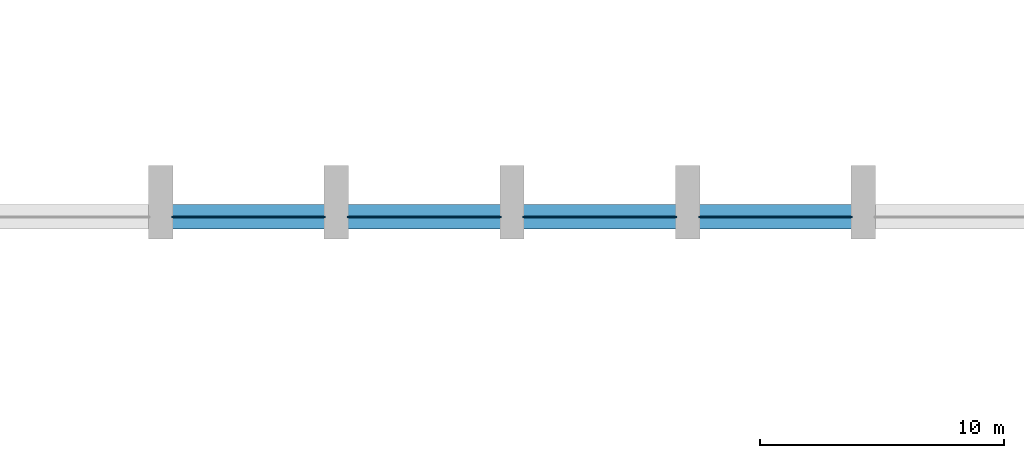
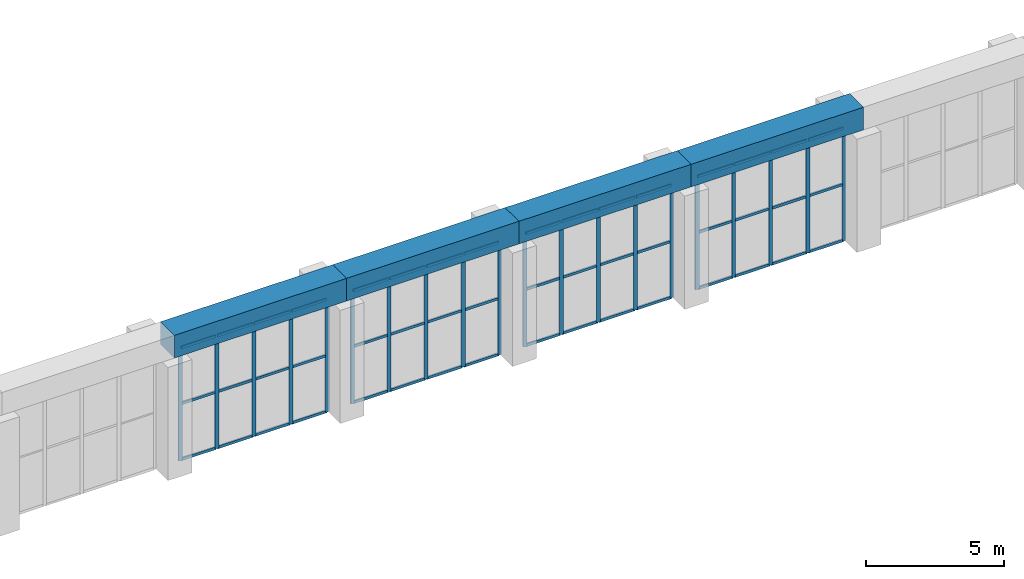
# One storey, part 9 of 44: 68 members, 4 beams, 4 elements without a shape of their own.
"""IFC4 building model written with IfcOpenShell, lengths in metres."""

import ifcopenshell
import ifcopenshell.guid

model = None  # the IFC model being written
_history = None  # IfcOwnerHistory: only IFC2X3 demands one
_inside = {}  # id of a spatial element -> (the spatial element, [elements in it])
_under = {}  # id of a project, library or spatial element -> (it, [spatial elements below it])
_declared = {}  # id of a project -> (the project, [libraries it declares])
_typed = {}  # id of a type object -> (the type object, [elements of that type])
_made_of = {}  # id of a material, layer set ... -> (it, [elements and type objects made of it])


def new_model(schema):
    """Start an empty IFC model of exactly this schema.

    Asked for "IFC4X3", IfcOpenShell would pick the latest addendum, in which some entities
    have other attributes; the version numbers below select the first issue.
    IFC2X3 requires an IfcOwnerHistory on every rooted entity: one is made here for all.
    """
    global model, _history
    if schema == "IFC4X3":
        model = ifcopenshell.file(schema_version=(4, 3, 0, 0))
    else:
        model = ifcopenshell.file(schema=schema)
    _inside.clear()
    _under.clear()
    _declared.clear()
    _typed.clear()
    _made_of.clear()
    _history = None
    if model.schema == "IFC2X3":
        org = make("IfcOrganization", Name="unknown")
        user = make(
            "IfcPersonAndOrganization",
            ThePerson=make("IfcPerson", FamilyName="unknown"),
            TheOrganization=org,
        )
        app = make(
            "IfcApplication",
            ApplicationDeveloper=org,
            Version="unknown",
            ApplicationFullName="unknown",
            ApplicationIdentifier="unknown",
        )
        _history = make(
            "IfcOwnerHistory",
            OwningUser=user,
            OwningApplication=app,
            ChangeAction="ADDED",
            CreationDate=0,
        )
    return model


def make(cls, **values):
    """One entity of the class cls with the attributes given. An attribute that is None is left unset."""
    return model.create_entity(
        cls, **{name: value for name, value in values.items() if value is not None}
    )


def rooted(cls, **values):
    """An entity with a GlobalId (a new one), such as an element, a storey or a relation."""
    return make(cls, GlobalId=ifcopenshell.guid.new(), OwnerHistory=_history, **values)


def si_unit(unit_type, name, prefix=None):
    """IfcSIUnit, for example si_unit("LENGTHUNIT", "METRE", prefix="MILLI")."""
    return make("IfcSIUnit", UnitType=unit_type, Prefix=prefix, Name=name)


def assignment(units):
    """IfcUnitAssignment: the units of a project."""
    return None if units is None else make("IfcUnitAssignment", Units=units)


def point(xyz):
    """IfcCartesianPoint."""
    return None if xyz is None else make("IfcCartesianPoint", Coordinates=xyz)


def direction(xyz):
    """IfcDirection."""
    return None if xyz is None else make("IfcDirection", DirectionRatios=xyz)


def frame(location, z_axis=None, x_axis=None):
    """IfcAxis2Placement3D, a coordinate frame: its origin and axes. An axis left out is left unset."""
    return make(
        "IfcAxis2Placement3D",
        Location=point(location),
        Axis=direction(z_axis),
        RefDirection=direction(x_axis),
    )


def frame_2d(location, x_axis=None):
    """IfcAxis2Placement2D, a coordinate frame in the plane: its origin and x axis."""
    return make(
        "IfcAxis2Placement2D", Location=point(location), RefDirection=direction(x_axis)
    )


def origin():
    """The frame at (0, 0, 0) with its axes left unset."""
    return frame((0.0, 0.0, 0.0))


def origin_2d():
    """The frame at (0, 0) in the plane with its x axis left unset."""
    return frame_2d((0.0, 0.0))


def place(relative_to, where):
    """IfcLocalPlacement: puts the frame where relative to a parent placement (None: the world)."""
    return make(
        "IfcLocalPlacement", PlacementRelTo=relative_to, RelativePlacement=where
    )


def context(
    kind, dimensions, precision=None, world=None, true_north=None, identifier=None
):
    """IfcGeometricRepresentationContext, for example the 3D "Model" context."""
    return make(
        "IfcGeometricRepresentationContext",
        ContextIdentifier=identifier,
        ContextType=kind,
        CoordinateSpaceDimension=dimensions,
        Precision=precision,
        WorldCoordinateSystem=world,
        TrueNorth=true_north,
    )


def subcontext(parent, identifier, kind, view, scale=None):
    """IfcGeometricRepresentationSubContext, for example "Body" below "Model"."""
    return make(
        "IfcGeometricRepresentationSubContext",
        ContextIdentifier=identifier,
        ContextType=kind,
        ParentContext=parent,
        TargetScale=scale,
        TargetView=view,
    )


def project(units=None, contexts=None):
    """IfcProject with its units and contexts."""
    return rooted(
        "IfcProject",
        Name="project",
        RepresentationContexts=contexts,
        UnitsInContext=assignment(units),
    )


def spatial(cls, under=None, at=None, **own):
    """A site, building, storey or space (cls), placed at a placement, below another one or the project."""
    s = rooted(cls, ObjectPlacement=at, **own)
    if under is not None:
        _under.setdefault(under.id(), (under, []))[1].append(s)
    return s


def profile(cls, at=None, kind="AREA", **sizes):
    """A parametric profile (cls). Its sizes go by their IFC names, for example OverallWidth=200.0."""
    return make(cls, ProfileType=kind, Position=at, **sizes)


def rectangle(**sizes):
    """IfcRectangleProfileDef."""
    return profile("IfcRectangleProfileDef", **sizes)


def extrude(swept, where, along, depth):
    """IfcExtrudedAreaSolid: the profile swept, set in the frame where, extruded along a direction by depth."""
    return make(
        "IfcExtrudedAreaSolid",
        SweptArea=swept,
        Position=where,
        ExtrudedDirection=direction(along),
        Depth=depth,
    )


def shape(context_of_items, identifier, shape_type, items):
    """IfcShapeRepresentation: the items that make up one representation, for example the "Body"."""
    return make(
        "IfcShapeRepresentation",
        ContextOfItems=context_of_items,
        RepresentationIdentifier=identifier,
        RepresentationType=shape_type,
        Items=items,
    )


def material(Name=None, Category=None):
    """IfcMaterial."""
    return make("IfcMaterial", Name=Name, Category=Category)


def material_profile(
    of_material, cross_section, Name=None, Category=None, Priority=None
):
    """IfcMaterialProfile: a cross section and its material."""
    return make(
        "IfcMaterialProfile",
        Name=Name,
        Material=of_material,
        Profile=cross_section,
        Priority=Priority,
        Category=Category,
    )


def profile_set(profiles, Name=None, composite=None):
    """IfcMaterialProfileSet."""
    return make(
        "IfcMaterialProfileSet",
        Name=Name,
        MaterialProfiles=profiles,
        CompositeProfile=composite,
    )


def made_of(thing, what):
    """Note that an element or type object is made of a material, layer set ...; save() writes the relation."""
    if what is not None:
        _made_of.setdefault(what.id(), (what, []))[1].append(thing)
    return thing


def type_object(cls, material=None, **own):
    """A type object (cls), such as IfcWallType, which elements share."""
    return made_of(rooted(cls, **own), material)


def element(
    cls,
    number,
    at=None,
    inside=None,
    cuts=None,
    type_object=None,
    material=None,
    context=None,
    identifier="Body",
    shape_type=None,
    held_by="IfcProductDefinitionShape",
    body=None,
    shapes=None,
    **own,
):
    """One element of the class cls, such as IfcWall. Its Tag is "e" and its number.

    at: its placement. inside: the storey or other place that contains it. cuts: it is an
    opening in that element (IfcRelVoidsElement). A single representation is given by context,
    identifier, shape_type and body (its items); several are given by shapes. held_by: the class
    of the entity that holds the representations. save() writes the other relations.
    """
    e = rooted(cls, Tag="e%d" % number, ObjectPlacement=at, **own)
    if body is not None:
        shapes = [shape(context, identifier, shape_type, body)]
    if shapes is not None:
        e.Representation = make(held_by, Representations=shapes)
    if inside is not None:
        _inside.setdefault(inside.id(), (inside, []))[1].append(e)
    if cuts is not None:
        rooted(
            "IfcRelVoidsElement", RelatingBuildingElement=cuts, RelatedOpeningElement=e
        )
    if type_object is not None:
        _typed.setdefault(type_object.id(), (type_object, []))[1].append(e)
    return made_of(e, material)


def aggregate(whole, parts):
    """IfcRelAggregates: a whole, such as a stair, and the parts it consists of."""
    return rooted("IfcRelAggregates", RelatingObject=whole, RelatedObjects=parts)


def save(model, path):
    """Write the relations noted so far, then the file.

    IfcRelAggregates (storeys below a building ...), IfcRelContainedInSpatialStructure (elements
    in a storey), IfcRelDefinesByType, IfcRelAssociatesMaterial and IfcRelDeclares: one each for
    every whole, place, type object, material and project.
    """
    for whole, parts in _under.values():
        aggregate(whole, parts)
    for where, things in _inside.values():
        rooted(
            "IfcRelContainedInSpatialStructure",
            RelatedElements=things,
            RelatingStructure=where,
        )
    for kind, things in _typed.values():
        rooted("IfcRelDefinesByType", RelatedObjects=things, RelatingType=kind)
    for what, things in _made_of.values():
        rooted("IfcRelAssociatesMaterial", RelatedObjects=things, RelatingMaterial=what)
    for by, libraries in _declared.values():
        rooted("IfcRelDeclares", RelatingContext=by, RelatedDefinitions=libraries)
    model.write(path)


model = new_model("IFC4")

# Units and contexts
model_context = context("Model", 3, precision=1e-05, world=origin(), true_north=direction((0.0, 1.0)))
body_context = subcontext(model_context, "Body", "Model", "MODEL_VIEW")
ifc_project = project(units=[si_unit("LENGTHUNIT", "METRE"), si_unit("AREAUNIT", "SQUARE_METRE"), si_unit("VOLUMEUNIT", "CUBIC_METRE"), si_unit("PLANEANGLEUNIT", "RADIAN"), si_unit("MASSUNIT", "GRAM", prefix="KILO")], contexts=[model_context])

# Site, building, storey
site_placement = place(None, origin())
site = spatial("IfcSite", under=ifc_project, at=site_placement, CompositionType="ELEMENT")
building_placement = place(site_placement, origin())
building = spatial("IfcBuilding", under=site, at=building_placement, Name="Vermilion Court Aquatics Centre", CompositionType="ELEMENT")
storey_placement = place(building_placement, frame((0.0, 0.0, 6.0)))
storey = spatial("IfcBuildingStorey", under=building, at=storey_placement, Name="L01", CompositionType="ELEMENT", Elevation=6.0)

# Curtain wall, members
ifc_material_1 = material(Name="Aluminium 6063-T5", Category="aluminium")
curtain_wall_type = type_object("IfcCurtainWallType", Name="Envelope curtain wall hall clerestory L01", PredefinedType="NOTDEFINED", material=ifc_material_1)
curtain_wall_1_placement = place(storey_placement, origin())
curtain_wall_1 = element("IfcCurtainWall", 1, at=curtain_wall_1_placement, inside=storey, type_object=curtain_wall_type, Name="Hall clerestory bay 7 L01", PredefinedType="NOTDEFINED")
ifc_material_2 = material(Name="Aluminium 6063-T5", Category="aluminium")
ifc_material_profile_1 = material_profile(ifc_material_2, rectangle(XDim=0.06005859375, YDim=0.159912109375, at=origin_2d()), Name="AL 60x160")
ifc_profile_set_1 = profile_set([ifc_material_profile_1], Name="Aluminium 6063-T5")
member_type_1 = type_object("IfcMemberType", Name="Envelope aluminium mullion 60x160", PredefinedType="MULLION", material=ifc_profile_set_1)
member_1_placement = place(storey_placement, frame((58.1298828125, 64.800048828125, 0.0), z_axis=(0.0, 0.0, 1.0), x_axis=(0.0, 1.0, 0.0)))
member_1 = element("IfcMember", 2, at=member_1_placement, type_object=member_type_1, Name="ECW2 mullion 1", PredefinedType="MULLION", context=body_context, shape_type="SweptSolid", body=[
    extrude(rectangle(XDim=0.06005859375, YDim=0.159912109375, at=origin_2d()), origin(), (0.0, 0.0, 1.0), 5.0),
])
member_2_placement = place(storey_placement, frame((59.64990234375, 64.800048828125, 0.0), z_axis=(0.0, 0.0, 1.0), x_axis=(0.0, 1.0, 0.0)))
member_2 = element("IfcMember", 3, at=member_2_placement, type_object=member_type_1, Name="ECW2 mullion 2", PredefinedType="MULLION", context=body_context, shape_type="SweptSolid", body=[
    extrude(rectangle(XDim=0.06005859375, YDim=0.159912109375, at=origin_2d()), origin(), (0.0, 0.0, 1.0), 5.0),
])
member_3_placement = place(storey_placement, frame((61.199951171875, 64.800048828125, 0.0), z_axis=(0.0, 0.0, 1.0), x_axis=(0.0, 1.0, 0.0)))
member_3 = element("IfcMember", 4, at=member_3_placement, type_object=member_type_1, Name="ECW2 mullion 3", PredefinedType="MULLION", context=body_context, shape_type="SweptSolid", body=[
    extrude(rectangle(XDim=0.06005859375, YDim=0.159912109375, at=origin_2d()), origin(), (0.0, 0.0, 1.0), 5.0),
])
member_4_placement = place(storey_placement, frame((62.75, 64.800048828125, 0.0), z_axis=(0.0, 0.0, 1.0), x_axis=(0.0, 1.0, 0.0)))
member_4 = element("IfcMember", 5, at=member_4_placement, type_object=member_type_1, Name="ECW2 mullion 4", PredefinedType="MULLION", context=body_context, shape_type="SweptSolid", body=[
    extrude(rectangle(XDim=0.06005859375, YDim=0.159912109375, at=origin_2d()), origin(), (0.0, 0.0, 1.0), 5.0),
])
member_5_placement = place(storey_placement, frame((64.27001953125, 64.800048828125, 0.0), z_axis=(0.0, 0.0, 1.0), x_axis=(0.0, 1.0, 0.0)))
member_5 = element("IfcMember", 6, at=member_5_placement, type_object=member_type_1, Name="ECW2 mullion 5", PredefinedType="MULLION", context=body_context, shape_type="SweptSolid", body=[
    extrude(rectangle(XDim=0.06005859375, YDim=0.159912109375, at=origin_2d()), origin(), (0.0, 0.0, 1.0), 5.0),
])

curtain_wall_2_placement = place(storey_placement, origin())
curtain_wall_2 = element("IfcCurtainWall", 7, at=curtain_wall_2_placement, inside=storey, type_object=curtain_wall_type, Name="Hall clerestory bay 8 L01", PredefinedType="NOTDEFINED")
member_6_placement = place(storey_placement, frame((65.330078125, 64.800048828125, 0.0), z_axis=(0.0, 0.0, 1.0), x_axis=(0.0, 1.0, 0.0)))
member_6 = element("IfcMember", 8, at=member_6_placement, type_object=member_type_1, Name="ECW2 mullion 1", PredefinedType="MULLION", context=body_context, shape_type="SweptSolid", body=[
    extrude(rectangle(XDim=0.06005859375, YDim=0.159912109375, at=origin_2d()), origin(), (0.0, 0.0, 1.0), 5.0),
])
member_7_placement = place(storey_placement, frame((66.85009765625, 64.800048828125, 0.0), z_axis=(0.0, 0.0, 1.0), x_axis=(0.0, 1.0, 0.0)))
member_7 = element("IfcMember", 9, at=member_7_placement, type_object=member_type_1, Name="ECW2 mullion 2", PredefinedType="MULLION", context=body_context, shape_type="SweptSolid", body=[
    extrude(rectangle(XDim=0.06005859375, YDim=0.159912109375, at=origin_2d()), origin(), (0.0, 0.0, 1.0), 5.0),
])
member_8_placement = place(storey_placement, frame((68.39990234375, 64.800048828125, 0.0), z_axis=(0.0, 0.0, 1.0), x_axis=(0.0, 1.0, 0.0)))
member_8 = element("IfcMember", 10, at=member_8_placement, type_object=member_type_1, Name="ECW2 mullion 3", PredefinedType="MULLION", context=body_context, shape_type="SweptSolid", body=[
    extrude(rectangle(XDim=0.06005859375, YDim=0.159912109375, at=origin_2d()), origin(), (0.0, 0.0, 1.0), 5.0),
])
member_9_placement = place(storey_placement, frame((69.949951171875, 64.800048828125, 0.0), z_axis=(0.0, 0.0, 1.0), x_axis=(0.0, 1.0, 0.0)))
member_9 = element("IfcMember", 11, at=member_9_placement, type_object=member_type_1, Name="ECW2 mullion 4", PredefinedType="MULLION", context=body_context, shape_type="SweptSolid", body=[
    extrude(rectangle(XDim=0.06005859375, YDim=0.159912109375, at=origin_2d()), origin(), (0.0, 0.0, 1.0), 5.0),
])
member_10_placement = place(storey_placement, frame((71.469970703125, 64.800048828125, 0.0), z_axis=(0.0, 0.0, 1.0), x_axis=(0.0, 1.0, 0.0)))
member_10 = element("IfcMember", 12, at=member_10_placement, type_object=member_type_1, Name="ECW2 mullion 5", PredefinedType="MULLION", context=body_context, shape_type="SweptSolid", body=[
    extrude(rectangle(XDim=0.06005859375, YDim=0.159912109375, at=origin_2d()), origin(), (0.0, 0.0, 1.0), 5.0),
])

curtain_wall_3_placement = place(storey_placement, origin())
curtain_wall_3 = element("IfcCurtainWall", 13, at=curtain_wall_3_placement, inside=storey, type_object=curtain_wall_type, Name="Hall clerestory bay 9 L01", PredefinedType="NOTDEFINED")
member_11_placement = place(storey_placement, frame((72.530029296875, 64.800048828125, 0.0), z_axis=(0.0, 0.0, 1.0), x_axis=(0.0, 1.0, 0.0)))
member_11 = element("IfcMember", 14, at=member_11_placement, type_object=member_type_1, Name="ECW2 mullion 1", PredefinedType="MULLION", context=body_context, shape_type="SweptSolid", body=[
    extrude(rectangle(XDim=0.06005859375, YDim=0.159912109375, at=origin_2d()), origin(), (0.0, 0.0, 1.0), 5.0),
])
member_12_placement = place(storey_placement, frame((74.050048828125, 64.800048828125, 0.0), z_axis=(0.0, 0.0, 1.0), x_axis=(0.0, 1.0, 0.0)))
member_12 = element("IfcMember", 15, at=member_12_placement, type_object=member_type_1, Name="ECW2 mullion 2", PredefinedType="MULLION", context=body_context, shape_type="SweptSolid", body=[
    extrude(rectangle(XDim=0.06005859375, YDim=0.159912109375, at=origin_2d()), origin(), (0.0, 0.0, 1.0), 5.0),
])
member_13_placement = place(storey_placement, frame((75.60009765625, 64.800048828125, 0.0), z_axis=(0.0, 0.0, 1.0), x_axis=(0.0, 1.0, 0.0)))
member_13 = element("IfcMember", 16, at=member_13_placement, type_object=member_type_1, Name="ECW2 mullion 3", PredefinedType="MULLION", context=body_context, shape_type="SweptSolid", body=[
    extrude(rectangle(XDim=0.06005859375, YDim=0.159912109375, at=origin_2d()), origin(), (0.0, 0.0, 1.0), 5.0),
])
member_14_placement = place(storey_placement, frame((77.14990234375, 64.800048828125, 0.0), z_axis=(0.0, 0.0, 1.0), x_axis=(0.0, 1.0, 0.0)))
member_14 = element("IfcMember", 17, at=member_14_placement, type_object=member_type_1, Name="ECW2 mullion 4", PredefinedType="MULLION", context=body_context, shape_type="SweptSolid", body=[
    extrude(rectangle(XDim=0.06005859375, YDim=0.159912109375, at=origin_2d()), origin(), (0.0, 0.0, 1.0), 5.0),
])
member_15_placement = place(storey_placement, frame((78.669921875, 64.800048828125, 0.0), z_axis=(0.0, 0.0, 1.0), x_axis=(0.0, 1.0, 0.0)))
member_15 = element("IfcMember", 18, at=member_15_placement, type_object=member_type_1, Name="ECW2 mullion 5", PredefinedType="MULLION", context=body_context, shape_type="SweptSolid", body=[
    extrude(rectangle(XDim=0.06005859375, YDim=0.159912109375, at=origin_2d()), origin(), (0.0, 0.0, 1.0), 5.0),
])

curtain_wall_4_placement = place(storey_placement, origin())
curtain_wall_4 = element("IfcCurtainWall", 19, at=curtain_wall_4_placement, inside=storey, type_object=curtain_wall_type, Name="Hall clerestory bay 10 L01", PredefinedType="NOTDEFINED")
member_16_placement = place(storey_placement, frame((79.72998046875, 64.800048828125, 0.0), z_axis=(0.0, 0.0, 1.0), x_axis=(0.0, 1.0, 0.0)))
member_16 = element("IfcMember", 20, at=member_16_placement, type_object=member_type_1, Name="ECW2 mullion 1", PredefinedType="MULLION", context=body_context, shape_type="SweptSolid", body=[
    extrude(rectangle(XDim=0.06005859375, YDim=0.159912109375, at=origin_2d()), origin(), (0.0, 0.0, 1.0), 5.0),
])
member_17_placement = place(storey_placement, frame((81.25, 64.800048828125, 0.0), z_axis=(0.0, 0.0, 1.0), x_axis=(0.0, 1.0, 0.0)))
member_17 = element("IfcMember", 21, at=member_17_placement, type_object=member_type_1, Name="ECW2 mullion 2", PredefinedType="MULLION", context=body_context, shape_type="SweptSolid", body=[
    extrude(rectangle(XDim=0.06005859375, YDim=0.159912109375, at=origin_2d()), origin(), (0.0, 0.0, 1.0), 5.0),
])
member_18_placement = place(storey_placement, frame((82.800048828125, 64.800048828125, 0.0), z_axis=(0.0, 0.0, 1.0), x_axis=(0.0, 1.0, 0.0)))
member_18 = element("IfcMember", 22, at=member_18_placement, type_object=member_type_1, Name="ECW2 mullion 3", PredefinedType="MULLION", context=body_context, shape_type="SweptSolid", body=[
    extrude(rectangle(XDim=0.06005859375, YDim=0.159912109375, at=origin_2d()), origin(), (0.0, 0.0, 1.0), 5.0),
])
member_19_placement = place(storey_placement, frame((84.35009765625, 64.800048828125, 0.0), z_axis=(0.0, 0.0, 1.0), x_axis=(0.0, 1.0, 0.0)))
member_19 = element("IfcMember", 23, at=member_19_placement, type_object=member_type_1, Name="ECW2 mullion 4", PredefinedType="MULLION", context=body_context, shape_type="SweptSolid", body=[
    extrude(rectangle(XDim=0.06005859375, YDim=0.159912109375, at=origin_2d()), origin(), (0.0, 0.0, 1.0), 5.0),
])
member_20_placement = place(storey_placement, frame((85.8701171875, 64.800048828125, 0.0), z_axis=(0.0, 0.0, 1.0), x_axis=(0.0, 1.0, 0.0)))
member_20 = element("IfcMember", 24, at=member_20_placement, type_object=member_type_1, Name="ECW2 mullion 5", PredefinedType="MULLION", context=body_context, shape_type="SweptSolid", body=[
    extrude(rectangle(XDim=0.06005859375, YDim=0.159912109375, at=origin_2d()), origin(), (0.0, 0.0, 1.0), 5.0),
])

# Member
ifc_material_3 = material(Name="Aluminium 6063-T5", Category="aluminium")
ifc_material_profile_2 = material_profile(ifc_material_3, rectangle(XDim=0.06005859375, YDim=0.1201171875, at=origin_2d()), Name="AL 60x120")
ifc_profile_set_2 = profile_set([ifc_material_profile_2], Name="Aluminium 6063-T5")
member_type_2 = type_object("IfcMemberType", Name="Envelope aluminium transom 60x120", PredefinedType="USERDEFINED", material=ifc_profile_set_2)
member_21_placement = place(storey_placement, frame((58.159912109375, 64.800048828125, 0.030029296875), z_axis=(1.0, 0.0, 0.0), x_axis=(0.0, 1.0, 0.0)))
member_21 = element("IfcMember", 25, at=member_21_placement, type_object=member_type_2, Name="ECW2 transom 1.1", ObjectType="TRANSOM", PredefinedType="USERDEFINED", context=body_context, shape_type="SweptSolid", body=[
    extrude(rectangle(XDim=0.06005859375, YDim=0.1201171875, at=origin_2d()), origin(), (0.0, 0.0, 1.0), 1.460205078125),
])

member_22_placement = place(storey_placement, frame((58.159912109375, 64.800048828125, 2.5), z_axis=(1.0, 0.0, 0.0), x_axis=(0.0, 1.0, 0.0)))
member_22 = element("IfcMember", 26, at=member_22_placement, type_object=member_type_2, Name="ECW2 transom 1.2", ObjectType="TRANSOM", PredefinedType="USERDEFINED", context=body_context, shape_type="SweptSolid", body=[
    extrude(rectangle(XDim=0.06005859375, YDim=0.1201171875, at=origin_2d()), origin(), (0.0, 0.0, 1.0), 1.460205078125),
])

member_23_placement = place(storey_placement, frame((58.159912109375, 64.800048828125, 4.969970703125), z_axis=(1.0, 0.0, 0.0), x_axis=(0.0, 1.0, 0.0)))
member_23 = element("IfcMember", 27, at=member_23_placement, type_object=member_type_2, Name="ECW2 transom 1.3", ObjectType="TRANSOM", PredefinedType="USERDEFINED", context=body_context, shape_type="SweptSolid", body=[
    extrude(rectangle(XDim=0.06005859375, YDim=0.1201171875, at=origin_2d()), origin(), (0.0, 0.0, 1.0), 1.460205078125),
])

member_24_placement = place(storey_placement, frame((59.679931640625, 64.800048828125, 0.030029296875), z_axis=(1.0, 0.0, 0.0), x_axis=(0.0, 1.0, 0.0)))
member_24 = element("IfcMember", 28, at=member_24_placement, type_object=member_type_2, Name="ECW2 transom 2.1", ObjectType="TRANSOM", PredefinedType="USERDEFINED", context=body_context, shape_type="SweptSolid", body=[
    extrude(rectangle(XDim=0.06005859375, YDim=0.1201171875, at=origin_2d()), origin(), (0.0, 0.0, 1.0), 1.489990234375),
])

member_25_placement = place(storey_placement, frame((59.679931640625, 64.800048828125, 2.5), z_axis=(1.0, 0.0, 0.0), x_axis=(0.0, 1.0, 0.0)))
member_25 = element("IfcMember", 29, at=member_25_placement, type_object=member_type_2, Name="ECW2 transom 2.2", ObjectType="TRANSOM", PredefinedType="USERDEFINED", context=body_context, shape_type="SweptSolid", body=[
    extrude(rectangle(XDim=0.06005859375, YDim=0.1201171875, at=origin_2d()), origin(), (0.0, 0.0, 1.0), 1.489990234375),
])

member_26_placement = place(storey_placement, frame((59.679931640625, 64.800048828125, 4.969970703125), z_axis=(1.0, 0.0, 0.0), x_axis=(0.0, 1.0, 0.0)))
member_26 = element("IfcMember", 30, at=member_26_placement, type_object=member_type_2, Name="ECW2 transom 2.3", ObjectType="TRANSOM", PredefinedType="USERDEFINED", context=body_context, shape_type="SweptSolid", body=[
    extrude(rectangle(XDim=0.06005859375, YDim=0.1201171875, at=origin_2d()), origin(), (0.0, 0.0, 1.0), 1.489990234375),
])

member_27_placement = place(storey_placement, frame((61.22998046875, 64.800048828125, 0.030029296875), z_axis=(1.0, 0.0, 0.0), x_axis=(0.0, 1.0, 0.0)))
member_27 = element("IfcMember", 31, at=member_27_placement, type_object=member_type_2, Name="ECW2 transom 3.1", ObjectType="TRANSOM", PredefinedType="USERDEFINED", context=body_context, shape_type="SweptSolid", body=[
    extrude(rectangle(XDim=0.06005859375, YDim=0.1201171875, at=origin_2d()), origin(), (0.0, 0.0, 1.0), 1.489990234375),
])

member_28_placement = place(storey_placement, frame((61.22998046875, 64.800048828125, 2.5), z_axis=(1.0, 0.0, 0.0), x_axis=(0.0, 1.0, 0.0)))
member_28 = element("IfcMember", 32, at=member_28_placement, type_object=member_type_2, Name="ECW2 transom 3.2", ObjectType="TRANSOM", PredefinedType="USERDEFINED", context=body_context, shape_type="SweptSolid", body=[
    extrude(rectangle(XDim=0.06005859375, YDim=0.1201171875, at=origin_2d()), origin(), (0.0, 0.0, 1.0), 1.489990234375),
])

member_29_placement = place(storey_placement, frame((61.22998046875, 64.800048828125, 4.969970703125), z_axis=(1.0, 0.0, 0.0), x_axis=(0.0, 1.0, 0.0)))
member_29 = element("IfcMember", 33, at=member_29_placement, type_object=member_type_2, Name="ECW2 transom 3.3", ObjectType="TRANSOM", PredefinedType="USERDEFINED", context=body_context, shape_type="SweptSolid", body=[
    extrude(rectangle(XDim=0.06005859375, YDim=0.1201171875, at=origin_2d()), origin(), (0.0, 0.0, 1.0), 1.489990234375),
])

member_30_placement = place(storey_placement, frame((62.780029296875, 64.800048828125, 0.030029296875), z_axis=(1.0, 0.0, 0.0), x_axis=(0.0, 1.0, 0.0)))
member_30 = element("IfcMember", 34, at=member_30_placement, type_object=member_type_2, Name="ECW2 transom 4.1", ObjectType="TRANSOM", PredefinedType="USERDEFINED", context=body_context, shape_type="SweptSolid", body=[
    extrude(rectangle(XDim=0.06005859375, YDim=0.1201171875, at=origin_2d()), origin(), (0.0, 0.0, 1.0), 1.4599609375),
])

member_31_placement = place(storey_placement, frame((62.780029296875, 64.800048828125, 2.5), z_axis=(1.0, 0.0, 0.0), x_axis=(0.0, 1.0, 0.0)))
member_31 = element("IfcMember", 35, at=member_31_placement, type_object=member_type_2, Name="ECW2 transom 4.2", ObjectType="TRANSOM", PredefinedType="USERDEFINED", context=body_context, shape_type="SweptSolid", body=[
    extrude(rectangle(XDim=0.06005859375, YDim=0.1201171875, at=origin_2d()), origin(), (0.0, 0.0, 1.0), 1.4599609375),
])

member_32_placement = place(storey_placement, frame((62.780029296875, 64.800048828125, 4.969970703125), z_axis=(1.0, 0.0, 0.0), x_axis=(0.0, 1.0, 0.0)))
member_32 = element("IfcMember", 36, at=member_32_placement, type_object=member_type_2, Name="ECW2 transom 4.3", ObjectType="TRANSOM", PredefinedType="USERDEFINED", context=body_context, shape_type="SweptSolid", body=[
    extrude(rectangle(XDim=0.06005859375, YDim=0.1201171875, at=origin_2d()), origin(), (0.0, 0.0, 1.0), 1.4599609375),
])

aggregate(curtain_wall_1, [member_1, member_2, member_3, member_4, member_5, member_21, member_22, member_23, member_24, member_25, member_26, member_27, member_28, member_29, member_30, member_31, member_32])

member_33_placement = place(storey_placement, frame((65.360107421875, 64.800048828125, 0.030029296875), z_axis=(1.0, 0.0, 0.0), x_axis=(0.0, 1.0, 0.0)))
member_33 = element("IfcMember", 37, at=member_33_placement, type_object=member_type_2, Name="ECW2 transom 1.1", ObjectType="TRANSOM", PredefinedType="USERDEFINED", context=body_context, shape_type="SweptSolid", body=[
    extrude(rectangle(XDim=0.06005859375, YDim=0.1201171875, at=origin_2d()), origin(), (0.0, 0.0, 1.0), 1.4599609375),
])

member_34_placement = place(storey_placement, frame((65.360107421875, 64.800048828125, 2.5), z_axis=(1.0, 0.0, 0.0), x_axis=(0.0, 1.0, 0.0)))
member_34 = element("IfcMember", 38, at=member_34_placement, type_object=member_type_2, Name="ECW2 transom 1.2", ObjectType="TRANSOM", PredefinedType="USERDEFINED", context=body_context, shape_type="SweptSolid", body=[
    extrude(rectangle(XDim=0.06005859375, YDim=0.1201171875, at=origin_2d()), origin(), (0.0, 0.0, 1.0), 1.4599609375),
])

member_35_placement = place(storey_placement, frame((65.360107421875, 64.800048828125, 4.969970703125), z_axis=(1.0, 0.0, 0.0), x_axis=(0.0, 1.0, 0.0)))
member_35 = element("IfcMember", 39, at=member_35_placement, type_object=member_type_2, Name="ECW2 transom 1.3", ObjectType="TRANSOM", PredefinedType="USERDEFINED", context=body_context, shape_type="SweptSolid", body=[
    extrude(rectangle(XDim=0.06005859375, YDim=0.1201171875, at=origin_2d()), origin(), (0.0, 0.0, 1.0), 1.4599609375),
])

member_36_placement = place(storey_placement, frame((66.8798828125, 64.800048828125, 0.030029296875), z_axis=(1.0, 0.0, 0.0), x_axis=(0.0, 1.0, 0.0)))
member_36 = element("IfcMember", 40, at=member_36_placement, type_object=member_type_2, Name="ECW2 transom 2.1", ObjectType="TRANSOM", PredefinedType="USERDEFINED", context=body_context, shape_type="SweptSolid", body=[
    extrude(rectangle(XDim=0.06005859375, YDim=0.1201171875, at=origin_2d()), origin(), (0.0, 0.0, 1.0), 1.490234375),
])

member_37_placement = place(storey_placement, frame((66.8798828125, 64.800048828125, 2.5), z_axis=(1.0, 0.0, 0.0), x_axis=(0.0, 1.0, 0.0)))
member_37 = element("IfcMember", 41, at=member_37_placement, type_object=member_type_2, Name="ECW2 transom 2.2", ObjectType="TRANSOM", PredefinedType="USERDEFINED", context=body_context, shape_type="SweptSolid", body=[
    extrude(rectangle(XDim=0.06005859375, YDim=0.1201171875, at=origin_2d()), origin(), (0.0, 0.0, 1.0), 1.490234375),
])

member_38_placement = place(storey_placement, frame((66.8798828125, 64.800048828125, 4.969970703125), z_axis=(1.0, 0.0, 0.0), x_axis=(0.0, 1.0, 0.0)))
member_38 = element("IfcMember", 42, at=member_38_placement, type_object=member_type_2, Name="ECW2 transom 2.3", ObjectType="TRANSOM", PredefinedType="USERDEFINED", context=body_context, shape_type="SweptSolid", body=[
    extrude(rectangle(XDim=0.06005859375, YDim=0.1201171875, at=origin_2d()), origin(), (0.0, 0.0, 1.0), 1.490234375),
])

member_39_placement = place(storey_placement, frame((68.429931640625, 64.800048828125, 0.030029296875), z_axis=(1.0, 0.0, 0.0), x_axis=(0.0, 1.0, 0.0)))
member_39 = element("IfcMember", 43, at=member_39_placement, type_object=member_type_2, Name="ECW2 transom 3.1", ObjectType="TRANSOM", PredefinedType="USERDEFINED", context=body_context, shape_type="SweptSolid", body=[
    extrude(rectangle(XDim=0.06005859375, YDim=0.1201171875, at=origin_2d()), origin(), (0.0, 0.0, 1.0), 1.489990234375),
])

member_40_placement = place(storey_placement, frame((68.429931640625, 64.800048828125, 2.5), z_axis=(1.0, 0.0, 0.0), x_axis=(0.0, 1.0, 0.0)))
member_40 = element("IfcMember", 44, at=member_40_placement, type_object=member_type_2, Name="ECW2 transom 3.2", ObjectType="TRANSOM", PredefinedType="USERDEFINED", context=body_context, shape_type="SweptSolid", body=[
    extrude(rectangle(XDim=0.06005859375, YDim=0.1201171875, at=origin_2d()), origin(), (0.0, 0.0, 1.0), 1.489990234375),
])

member_41_placement = place(storey_placement, frame((68.429931640625, 64.800048828125, 4.969970703125), z_axis=(1.0, 0.0, 0.0), x_axis=(0.0, 1.0, 0.0)))
member_41 = element("IfcMember", 45, at=member_41_placement, type_object=member_type_2, Name="ECW2 transom 3.3", ObjectType="TRANSOM", PredefinedType="USERDEFINED", context=body_context, shape_type="SweptSolid", body=[
    extrude(rectangle(XDim=0.06005859375, YDim=0.1201171875, at=origin_2d()), origin(), (0.0, 0.0, 1.0), 1.489990234375),
])

member_42_placement = place(storey_placement, frame((69.97998046875, 64.800048828125, 0.030029296875), z_axis=(1.0, 0.0, 0.0), x_axis=(0.0, 1.0, 0.0)))
member_42 = element("IfcMember", 46, at=member_42_placement, type_object=member_type_2, Name="ECW2 transom 4.1", ObjectType="TRANSOM", PredefinedType="USERDEFINED", context=body_context, shape_type="SweptSolid", body=[
    extrude(rectangle(XDim=0.06005859375, YDim=0.1201171875, at=origin_2d()), origin(), (0.0, 0.0, 1.0), 1.4599609375),
])

member_43_placement = place(storey_placement, frame((69.97998046875, 64.800048828125, 2.5), z_axis=(1.0, 0.0, 0.0), x_axis=(0.0, 1.0, 0.0)))
member_43 = element("IfcMember", 47, at=member_43_placement, type_object=member_type_2, Name="ECW2 transom 4.2", ObjectType="TRANSOM", PredefinedType="USERDEFINED", context=body_context, shape_type="SweptSolid", body=[
    extrude(rectangle(XDim=0.06005859375, YDim=0.1201171875, at=origin_2d()), origin(), (0.0, 0.0, 1.0), 1.4599609375),
])

member_44_placement = place(storey_placement, frame((69.97998046875, 64.800048828125, 4.969970703125), z_axis=(1.0, 0.0, 0.0), x_axis=(0.0, 1.0, 0.0)))
member_44 = element("IfcMember", 48, at=member_44_placement, type_object=member_type_2, Name="ECW2 transom 4.3", ObjectType="TRANSOM", PredefinedType="USERDEFINED", context=body_context, shape_type="SweptSolid", body=[
    extrude(rectangle(XDim=0.06005859375, YDim=0.1201171875, at=origin_2d()), origin(), (0.0, 0.0, 1.0), 1.4599609375),
])

aggregate(curtain_wall_2, [member_6, member_7, member_8, member_9, member_10, member_33, member_34, member_35, member_36, member_37, member_38, member_39, member_40, member_41, member_42, member_43, member_44])

member_45_placement = place(storey_placement, frame((72.56005859375, 64.800048828125, 0.030029296875), z_axis=(1.0, 0.0, 0.0), x_axis=(0.0, 1.0, 0.0)))
member_45 = element("IfcMember", 49, at=member_45_placement, type_object=member_type_2, Name="ECW2 transom 1.1", ObjectType="TRANSOM", PredefinedType="USERDEFINED", context=body_context, shape_type="SweptSolid", body=[
    extrude(rectangle(XDim=0.06005859375, YDim=0.1201171875, at=origin_2d()), origin(), (0.0, 0.0, 1.0), 1.4599609375),
])

member_46_placement = place(storey_placement, frame((72.56005859375, 64.800048828125, 2.5), z_axis=(1.0, 0.0, 0.0), x_axis=(0.0, 1.0, 0.0)))
member_46 = element("IfcMember", 50, at=member_46_placement, type_object=member_type_2, Name="ECW2 transom 1.2", ObjectType="TRANSOM", PredefinedType="USERDEFINED", context=body_context, shape_type="SweptSolid", body=[
    extrude(rectangle(XDim=0.06005859375, YDim=0.1201171875, at=origin_2d()), origin(), (0.0, 0.0, 1.0), 1.4599609375),
])

member_47_placement = place(storey_placement, frame((72.56005859375, 64.800048828125, 4.969970703125), z_axis=(1.0, 0.0, 0.0), x_axis=(0.0, 1.0, 0.0)))
member_47 = element("IfcMember", 51, at=member_47_placement, type_object=member_type_2, Name="ECW2 transom 1.3", ObjectType="TRANSOM", PredefinedType="USERDEFINED", context=body_context, shape_type="SweptSolid", body=[
    extrude(rectangle(XDim=0.06005859375, YDim=0.1201171875, at=origin_2d()), origin(), (0.0, 0.0, 1.0), 1.4599609375),
])

member_48_placement = place(storey_placement, frame((74.080078125, 64.800048828125, 0.030029296875), z_axis=(1.0, 0.0, 0.0), x_axis=(0.0, 1.0, 0.0)))
member_48 = element("IfcMember", 52, at=member_48_placement, type_object=member_type_2, Name="ECW2 transom 2.1", ObjectType="TRANSOM", PredefinedType="USERDEFINED", context=body_context, shape_type="SweptSolid", body=[
    extrude(rectangle(XDim=0.06005859375, YDim=0.1201171875, at=origin_2d()), origin(), (0.0, 0.0, 1.0), 1.489990234375),
])

member_49_placement = place(storey_placement, frame((74.080078125, 64.800048828125, 2.5), z_axis=(1.0, 0.0, 0.0), x_axis=(0.0, 1.0, 0.0)))
member_49 = element("IfcMember", 53, at=member_49_placement, type_object=member_type_2, Name="ECW2 transom 2.2", ObjectType="TRANSOM", PredefinedType="USERDEFINED", context=body_context, shape_type="SweptSolid", body=[
    extrude(rectangle(XDim=0.06005859375, YDim=0.1201171875, at=origin_2d()), origin(), (0.0, 0.0, 1.0), 1.489990234375),
])

member_50_placement = place(storey_placement, frame((74.080078125, 64.800048828125, 4.969970703125), z_axis=(1.0, 0.0, 0.0), x_axis=(0.0, 1.0, 0.0)))
member_50 = element("IfcMember", 54, at=member_50_placement, type_object=member_type_2, Name="ECW2 transom 2.3", ObjectType="TRANSOM", PredefinedType="USERDEFINED", context=body_context, shape_type="SweptSolid", body=[
    extrude(rectangle(XDim=0.06005859375, YDim=0.1201171875, at=origin_2d()), origin(), (0.0, 0.0, 1.0), 1.489990234375),
])

member_51_placement = place(storey_placement, frame((75.6298828125, 64.800048828125, 0.030029296875), z_axis=(1.0, 0.0, 0.0), x_axis=(0.0, 1.0, 0.0)))
member_51 = element("IfcMember", 55, at=member_51_placement, type_object=member_type_2, Name="ECW2 transom 3.1", ObjectType="TRANSOM", PredefinedType="USERDEFINED", context=body_context, shape_type="SweptSolid", body=[
    extrude(rectangle(XDim=0.06005859375, YDim=0.1201171875, at=origin_2d()), origin(), (0.0, 0.0, 1.0), 1.490234375),
])

member_52_placement = place(storey_placement, frame((75.6298828125, 64.800048828125, 2.5), z_axis=(1.0, 0.0, 0.0), x_axis=(0.0, 1.0, 0.0)))
member_52 = element("IfcMember", 56, at=member_52_placement, type_object=member_type_2, Name="ECW2 transom 3.2", ObjectType="TRANSOM", PredefinedType="USERDEFINED", context=body_context, shape_type="SweptSolid", body=[
    extrude(rectangle(XDim=0.06005859375, YDim=0.1201171875, at=origin_2d()), origin(), (0.0, 0.0, 1.0), 1.490234375),
])

member_53_placement = place(storey_placement, frame((75.6298828125, 64.800048828125, 4.969970703125), z_axis=(1.0, 0.0, 0.0), x_axis=(0.0, 1.0, 0.0)))
member_53 = element("IfcMember", 57, at=member_53_placement, type_object=member_type_2, Name="ECW2 transom 3.3", ObjectType="TRANSOM", PredefinedType="USERDEFINED", context=body_context, shape_type="SweptSolid", body=[
    extrude(rectangle(XDim=0.06005859375, YDim=0.1201171875, at=origin_2d()), origin(), (0.0, 0.0, 1.0), 1.490234375),
])

member_54_placement = place(storey_placement, frame((77.179931640625, 64.800048828125, 0.030029296875), z_axis=(1.0, 0.0, 0.0), x_axis=(0.0, 1.0, 0.0)))
member_54 = element("IfcMember", 58, at=member_54_placement, type_object=member_type_2, Name="ECW2 transom 4.1", ObjectType="TRANSOM", PredefinedType="USERDEFINED", context=body_context, shape_type="SweptSolid", body=[
    extrude(rectangle(XDim=0.06005859375, YDim=0.1201171875, at=origin_2d()), origin(), (0.0, 0.0, 1.0), 1.4599609375),
])

member_55_placement = place(storey_placement, frame((77.179931640625, 64.800048828125, 2.5), z_axis=(1.0, 0.0, 0.0), x_axis=(0.0, 1.0, 0.0)))
member_55 = element("IfcMember", 59, at=member_55_placement, type_object=member_type_2, Name="ECW2 transom 4.2", ObjectType="TRANSOM", PredefinedType="USERDEFINED", context=body_context, shape_type="SweptSolid", body=[
    extrude(rectangle(XDim=0.06005859375, YDim=0.1201171875, at=origin_2d()), origin(), (0.0, 0.0, 1.0), 1.4599609375),
])

member_56_placement = place(storey_placement, frame((77.179931640625, 64.800048828125, 4.969970703125), z_axis=(1.0, 0.0, 0.0), x_axis=(0.0, 1.0, 0.0)))
member_56 = element("IfcMember", 60, at=member_56_placement, type_object=member_type_2, Name="ECW2 transom 4.3", ObjectType="TRANSOM", PredefinedType="USERDEFINED", context=body_context, shape_type="SweptSolid", body=[
    extrude(rectangle(XDim=0.06005859375, YDim=0.1201171875, at=origin_2d()), origin(), (0.0, 0.0, 1.0), 1.4599609375),
])

aggregate(curtain_wall_3, [member_11, member_12, member_13, member_14, member_15, member_45, member_46, member_47, member_48, member_49, member_50, member_51, member_52, member_53, member_54, member_55, member_56])

member_57_placement = place(storey_placement, frame((79.760009765625, 64.800048828125, 0.030029296875), z_axis=(1.0, 0.0, 0.0), x_axis=(0.0, 1.0, 0.0)))
member_57 = element("IfcMember", 61, at=member_57_placement, type_object=member_type_2, Name="ECW2 transom 1.1", ObjectType="TRANSOM", PredefinedType="USERDEFINED", context=body_context, shape_type="SweptSolid", body=[
    extrude(rectangle(XDim=0.06005859375, YDim=0.1201171875, at=origin_2d()), origin(), (0.0, 0.0, 1.0), 1.4599609375),
])

member_58_placement = place(storey_placement, frame((79.760009765625, 64.800048828125, 2.5), z_axis=(1.0, 0.0, 0.0), x_axis=(0.0, 1.0, 0.0)))
member_58 = element("IfcMember", 62, at=member_58_placement, type_object=member_type_2, Name="ECW2 transom 1.2", ObjectType="TRANSOM", PredefinedType="USERDEFINED", context=body_context, shape_type="SweptSolid", body=[
    extrude(rectangle(XDim=0.06005859375, YDim=0.1201171875, at=origin_2d()), origin(), (0.0, 0.0, 1.0), 1.4599609375),
])

member_59_placement = place(storey_placement, frame((79.760009765625, 64.800048828125, 4.969970703125), z_axis=(1.0, 0.0, 0.0), x_axis=(0.0, 1.0, 0.0)))
member_59 = element("IfcMember", 63, at=member_59_placement, type_object=member_type_2, Name="ECW2 transom 1.3", ObjectType="TRANSOM", PredefinedType="USERDEFINED", context=body_context, shape_type="SweptSolid", body=[
    extrude(rectangle(XDim=0.06005859375, YDim=0.1201171875, at=origin_2d()), origin(), (0.0, 0.0, 1.0), 1.4599609375),
])

member_60_placement = place(storey_placement, frame((81.280029296875, 64.800048828125, 0.030029296875), z_axis=(1.0, 0.0, 0.0), x_axis=(0.0, 1.0, 0.0)))
member_60 = element("IfcMember", 64, at=member_60_placement, type_object=member_type_2, Name="ECW2 transom 2.1", ObjectType="TRANSOM", PredefinedType="USERDEFINED", context=body_context, shape_type="SweptSolid", body=[
    extrude(rectangle(XDim=0.06005859375, YDim=0.1201171875, at=origin_2d()), origin(), (0.0, 0.0, 1.0), 1.489990234375),
])

member_61_placement = place(storey_placement, frame((81.280029296875, 64.800048828125, 2.5), z_axis=(1.0, 0.0, 0.0), x_axis=(0.0, 1.0, 0.0)))
member_61 = element("IfcMember", 65, at=member_61_placement, type_object=member_type_2, Name="ECW2 transom 2.2", ObjectType="TRANSOM", PredefinedType="USERDEFINED", context=body_context, shape_type="SweptSolid", body=[
    extrude(rectangle(XDim=0.06005859375, YDim=0.1201171875, at=origin_2d()), origin(), (0.0, 0.0, 1.0), 1.489990234375),
])

member_62_placement = place(storey_placement, frame((81.280029296875, 64.800048828125, 4.969970703125), z_axis=(1.0, 0.0, 0.0), x_axis=(0.0, 1.0, 0.0)))
member_62 = element("IfcMember", 66, at=member_62_placement, type_object=member_type_2, Name="ECW2 transom 2.3", ObjectType="TRANSOM", PredefinedType="USERDEFINED", context=body_context, shape_type="SweptSolid", body=[
    extrude(rectangle(XDim=0.06005859375, YDim=0.1201171875, at=origin_2d()), origin(), (0.0, 0.0, 1.0), 1.489990234375),
])

member_63_placement = place(storey_placement, frame((82.830078125, 64.800048828125, 0.030029296875), z_axis=(1.0, 0.0, 0.0), x_axis=(0.0, 1.0, 0.0)))
member_63 = element("IfcMember", 67, at=member_63_placement, type_object=member_type_2, Name="ECW2 transom 3.1", ObjectType="TRANSOM", PredefinedType="USERDEFINED", context=body_context, shape_type="SweptSolid", body=[
    extrude(rectangle(XDim=0.06005859375, YDim=0.1201171875, at=origin_2d()), origin(), (0.0, 0.0, 1.0), 1.489990234375),
])

member_64_placement = place(storey_placement, frame((82.830078125, 64.800048828125, 2.5), z_axis=(1.0, 0.0, 0.0), x_axis=(0.0, 1.0, 0.0)))
member_64 = element("IfcMember", 68, at=member_64_placement, type_object=member_type_2, Name="ECW2 transom 3.2", ObjectType="TRANSOM", PredefinedType="USERDEFINED", context=body_context, shape_type="SweptSolid", body=[
    extrude(rectangle(XDim=0.06005859375, YDim=0.1201171875, at=origin_2d()), origin(), (0.0, 0.0, 1.0), 1.489990234375),
])

member_65_placement = place(storey_placement, frame((82.830078125, 64.800048828125, 4.969970703125), z_axis=(1.0, 0.0, 0.0), x_axis=(0.0, 1.0, 0.0)))
member_65 = element("IfcMember", 69, at=member_65_placement, type_object=member_type_2, Name="ECW2 transom 3.3", ObjectType="TRANSOM", PredefinedType="USERDEFINED", context=body_context, shape_type="SweptSolid", body=[
    extrude(rectangle(XDim=0.06005859375, YDim=0.1201171875, at=origin_2d()), origin(), (0.0, 0.0, 1.0), 1.489990234375),
])

member_66_placement = place(storey_placement, frame((84.3798828125, 64.800048828125, 0.030029296875), z_axis=(1.0, 0.0, 0.0), x_axis=(0.0, 1.0, 0.0)))
member_66 = element("IfcMember", 70, at=member_66_placement, type_object=member_type_2, Name="ECW2 transom 4.1", ObjectType="TRANSOM", PredefinedType="USERDEFINED", context=body_context, shape_type="SweptSolid", body=[
    extrude(rectangle(XDim=0.06005859375, YDim=0.1201171875, at=origin_2d()), origin(), (0.0, 0.0, 1.0), 1.460205078125),
])

member_67_placement = place(storey_placement, frame((84.3798828125, 64.800048828125, 2.5), z_axis=(1.0, 0.0, 0.0), x_axis=(0.0, 1.0, 0.0)))
member_67 = element("IfcMember", 71, at=member_67_placement, type_object=member_type_2, Name="ECW2 transom 4.2", ObjectType="TRANSOM", PredefinedType="USERDEFINED", context=body_context, shape_type="SweptSolid", body=[
    extrude(rectangle(XDim=0.06005859375, YDim=0.1201171875, at=origin_2d()), origin(), (0.0, 0.0, 1.0), 1.460205078125),
])

member_68_placement = place(storey_placement, frame((84.3798828125, 64.800048828125, 4.969970703125), z_axis=(1.0, 0.0, 0.0), x_axis=(0.0, 1.0, 0.0)))
member_68 = element("IfcMember", 72, at=member_68_placement, type_object=member_type_2, Name="ECW2 transom 4.3", ObjectType="TRANSOM", PredefinedType="USERDEFINED", context=body_context, shape_type="SweptSolid", body=[
    extrude(rectangle(XDim=0.06005859375, YDim=0.1201171875, at=origin_2d()), origin(), (0.0, 0.0, 1.0), 1.460205078125),
])

aggregate(curtain_wall_4, [member_16, member_17, member_18, member_19, member_20, member_57, member_58, member_59, member_60, member_61, member_62, member_63, member_64, member_65, member_66, member_67, member_68])

# Beams
ifc_material_4 = material(Name="Concrete 5000 psi", Category="concrete")
ifc_material_profile_3 = material_profile(ifc_material_4, rectangle(XDim=1.0, YDim=1.0, at=origin_2d()), Name="RC 1000x1000")
ifc_profile_set_3 = profile_set([ifc_material_profile_3], Name="Concrete 5000 psi")
beam_type = type_object("IfcBeamType", Name="Roof springing tie beam north (clear span between piers)", PredefinedType="BEAM", material=ifc_profile_set_3)
for number, where, z_axis, x_axis, name in (
    (73, (57.60009765625, 64.800048828125, 5.5), (1.0, 0.0, 0.0), (0.0, 1.0, 0.0), "Springing tie beam STN07"),
    (74, (64.800048828125, 64.800048828125, 5.5), (1.0, 0.0, 0.0), (0.0, 1.0, 0.0), "Springing tie beam STN08"),
    (75, (72.0, 64.800048828125, 5.5), (1.0, 0.0, 0.0), (0.0, 1.0, 0.0), "Springing tie beam STN09"),
    (76, (79.199951171875, 64.800048828125, 5.5), (1.0, 0.0, 0.0), (0.0, 1.0, 0.0), "Springing tie beam STN10"),
):
    element("IfcBeam", number, at=place(storey_placement, frame(where, z_axis=z_axis, x_axis=x_axis)), inside=storey, type_object=beam_type, Name=name, PredefinedType="BEAM", context=body_context, shape_type="SweptSolid", body=[
        extrude(rectangle(XDim=1.0, YDim=1.0, at=origin_2d()), origin(), (0.0, 0.0, 1.0), 7.199951171875),
    ])

save(model, "model.ifc")
